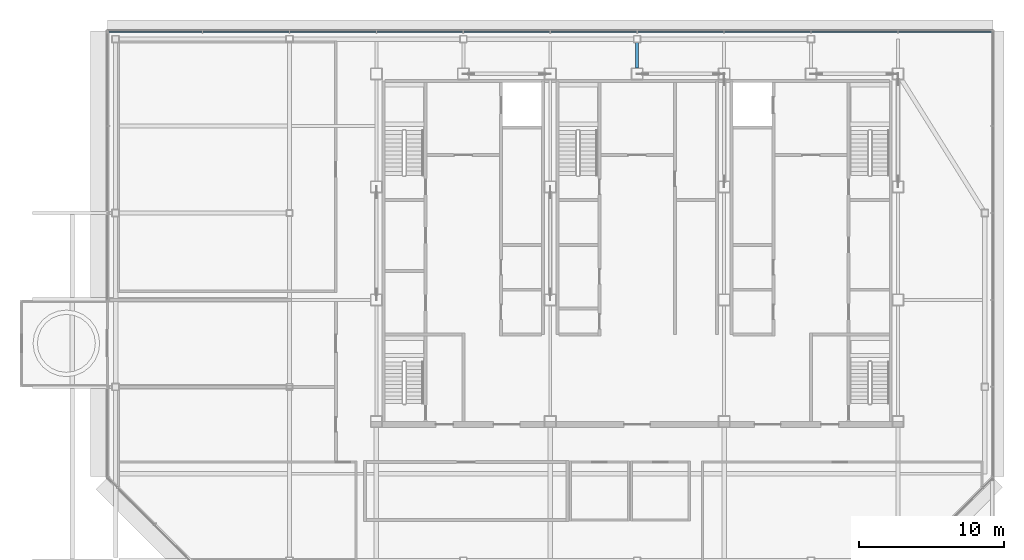
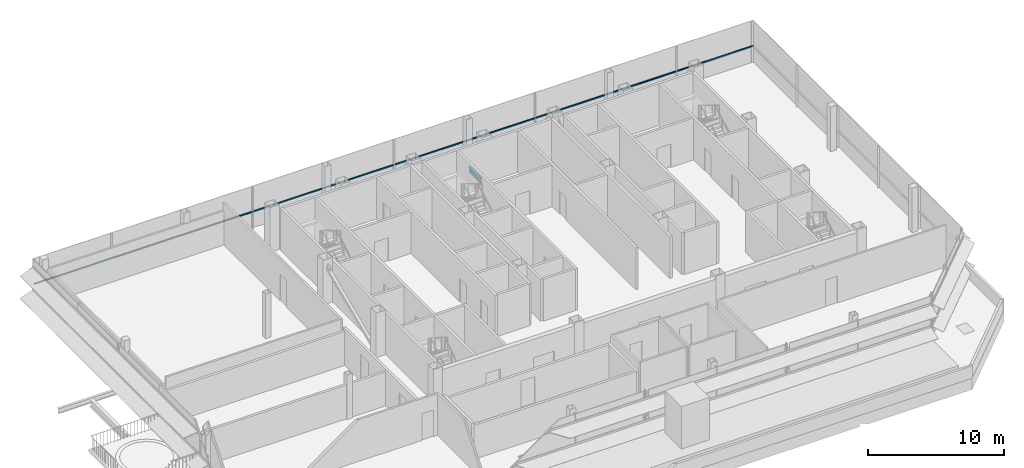
# One storey, part 12 of 26: 1 beam, 1 member, 1 element without a shape of its own.
"""IFC4 building model written with IfcOpenShell, lengths in metres."""

from ifc_helpers import new_model, si_unit, direction, frame, origin, origin_2d, place, context, subcontext, project, spatial, rectangle, i_section, extrude, material, material_profile, profile_set, type_object, element, aggregate, save


model = new_model("IFC4")

# Units and contexts
model_context = context("Model", 3, precision=1e-05, world=origin(), true_north=direction((0.0, 1.0)))
body_context = subcontext(model_context, "Body", "Model", "MODEL_VIEW")
ifc_project = project(units=[si_unit("LENGTHUNIT", "METRE"), si_unit("AREAUNIT", "SQUARE_METRE"), si_unit("VOLUMEUNIT", "CUBIC_METRE"), si_unit("PLANEANGLEUNIT", "RADIAN"), si_unit("MASSUNIT", "GRAM", prefix="KILO")], contexts=[model_context])

# Site, building, storey
site_placement = place(None, origin())
site = spatial("IfcSite", under=ifc_project, at=site_placement, CompositionType="ELEMENT")
building_placement = place(site_placement, origin())
building = spatial("IfcBuilding", under=site, at=building_placement, Name="Sorahane Residences", CompositionType="ELEMENT")
storey_placement = place(building_placement, frame((0.0, 0.0, 337.800048828125)))
storey = spatial("IfcBuildingStorey", under=building, at=storey_placement, Name="L80", CompositionType="ELEMENT", Elevation=337.800048828125)

# Curtain wall, member
ifc_material_1 = material(Name="Dark low-e glass and black anodised aluminium", Category="aluminium")
curtain_wall_type = type_object("IfcCurtainWallType", Name="Curtain wall CW-6 Crown unitised wall", PredefinedType="NOTDEFINED", material=ifc_material_1)
curtain_wall_placement = place(storey_placement, origin())
curtain_wall = element("IfcCurtainWall", 1, at=curtain_wall_placement, inside=storey, type_object=curtain_wall_type, Name="CW-6 curtain wall L80 N1", PredefinedType="NOTDEFINED")
ifc_material_2 = material(Name="Black anodised aluminium", Category="aluminium")
ifc_material_profile_1 = material_profile(ifc_material_2, rectangle(XDim=0.10009765625, YDim=0.06005859375, at=origin_2d()), Name="Curtain wall transom CW-6 black anodised aluminium 60x100")
ifc_profile_set_1 = profile_set([ifc_material_profile_1], Name="Black anodised aluminium")
member_type = type_object("IfcMemberType", Name="Curtain wall transom CW-6 black anodised aluminium 60x100", PredefinedType="USERDEFINED", material=ifc_profile_set_1)
member_placement = place(storey_placement, frame((48.550048828125, 48.530029296875, 1.5), z_axis=(-1.0, 0.0, 0.0), x_axis=(0.0, -1.0, 0.0)))
member = element("IfcMember", 2, at=member_placement, type_object=member_type, Name="CW-6 transom L80 N1", ObjectType="TRANSOM", PredefinedType="USERDEFINED", context=body_context, shape_type="SweptSolid", body=[
    extrude(rectangle(XDim=0.10009765625, YDim=0.06005859375, at=origin_2d()), origin(), (0.0, 0.0, 1.0), 61.10009765625),
])
aggregate(curtain_wall, [member])

# Beam
ifc_material_3 = material(Name="Steel Q355B", Category="steel")
ifc_material_profile_2 = material_profile(ifc_material_3, i_section(OverallWidth=0.199951171875, OverallDepth=0.449951171875, WebThickness=0.009033203125, FlangeThickness=0.013916015625, FilletRadius=0.02001953125, at=origin_2d()), Name="HN 450x200x9x14")
ifc_profile_set_2 = profile_set([ifc_material_profile_2], Name="Steel Q355B")
beam_type = type_object("IfcBeamType", Name="Steel floor beam HN 450x200x9x14 Q355B", PredefinedType="BEAM", material=ifc_profile_set_2)
beam_placement = place(storey_placement, frame((24.0, 46.0, -0.47509765625), z_axis=(0.0, 1.0, 0.0), x_axis=(-1.0, 0.0, 0.0)))
element("IfcBeam", 3, at=beam_placement, inside=storey, type_object=beam_type, Name="Beam L80 035", PredefinedType="BEAM", context=body_context, shape_type="SweptSolid", body=[
    extrude(i_section(OverallWidth=0.199951171875, OverallDepth=0.449951171875, WebThickness=0.009033203125, FlangeThickness=0.013916015625, FilletRadius=0.02001953125, at=origin_2d()), origin(), (0.0, 0.0, 1.0), 1.75),
])

save(model, "model.ifc")
